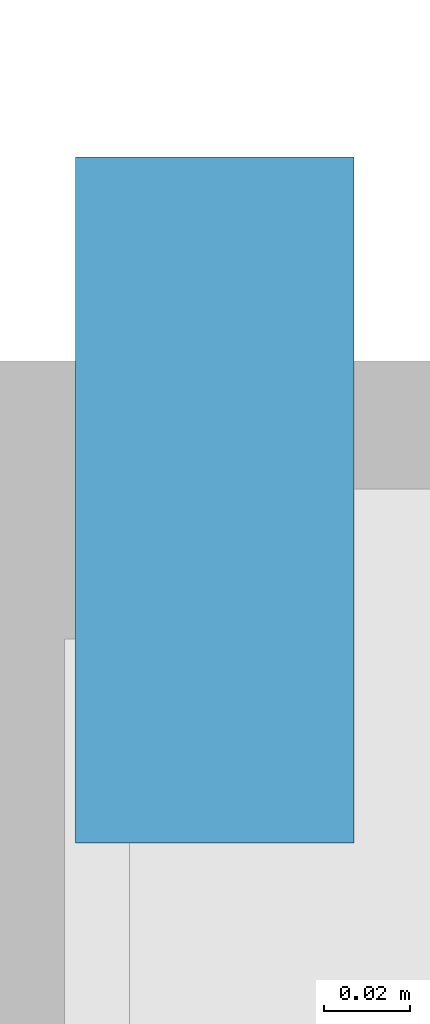
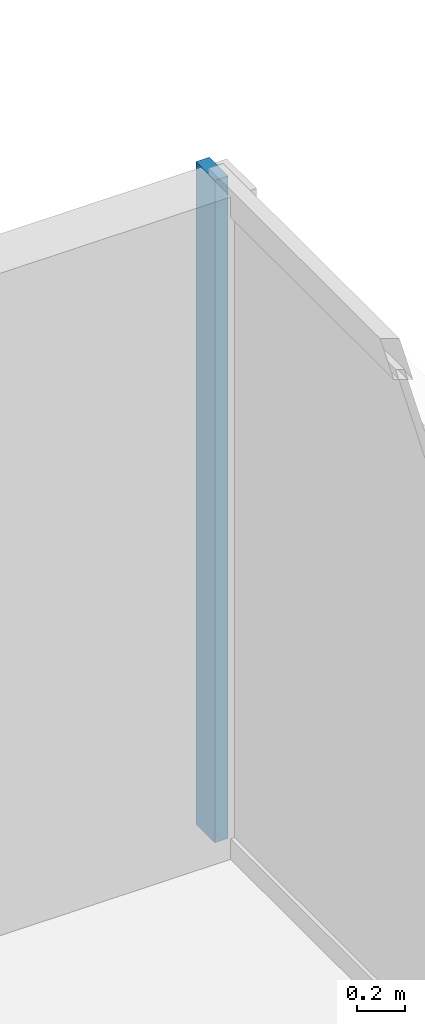
# One storey, part 6 of 14: 1 member, 1 element without a shape of its own.
"""IFC4 building model written with IfcOpenShell, lengths in metres."""

from ifc_helpers import new_model, si_unit, direction, frame, origin, origin_2d, place, context, subcontext, project, spatial, rectangle, extrude, material, layer, layer_set, material_profile, profile_set, type_object, element, aggregate, save


model = new_model("IFC4")

# Units and contexts
model_context = context("Model", 3, precision=1e-05, world=origin(), true_north=direction((0.0, 1.0)))
body_context = subcontext(model_context, "Body", "Model", "MODEL_VIEW")
ifc_project = project(units=[si_unit("LENGTHUNIT", "METRE"), si_unit("AREAUNIT", "SQUARE_METRE"), si_unit("VOLUMEUNIT", "CUBIC_METRE"), si_unit("PLANEANGLEUNIT", "RADIAN"), si_unit("MASSUNIT", "GRAM", prefix="KILO")], contexts=[model_context])

# Site, building, storey
site_placement = place(None, origin())
site = spatial("IfcSite", under=ifc_project, at=site_placement, CompositionType="ELEMENT")
building_placement = place(site_placement, origin())
building = spatial("IfcBuilding", under=site, at=building_placement, Name="Kinhvarn Gate Tower", CompositionType="ELEMENT")
storey_placement = place(building_placement, frame((0.0, 0.0, 256.35009765625)))
storey = spatial("IfcBuildingStorey", under=building, at=storey_placement, Name="L68", CompositionType="ELEMENT", Elevation=256.35009765625)

# Curtain wall, member
ifc_material = material(Name="Anodised aluminium AW-6063", Category="aluminium")
ifc_layer = layer(ifc_material, 0.179931640625)
ifc_layer_set = layer_set([ifc_layer], Name="Anodised aluminium AW-6063")
curtain_wall_type = type_object("IfcCurtainWallType", Name="CW-SYS-3", PredefinedType="NOTDEFINED", material=ifc_layer_set)
curtain_wall_placement = place(storey_placement, origin())
curtain_wall = element("IfcCurtainWall", 1, at=curtain_wall_placement, inside=storey, type_object=curtain_wall_type, Name="Curtain Wall CW3 (L68)", PredefinedType="NOTDEFINED")
ifc_material_profile = material_profile(ifc_material, rectangle(XDim=0.06494140625, YDim=0.159912109375, at=origin_2d()), Name="ALU 65x160")
ifc_profile_set = profile_set([ifc_material_profile], Name="Anodised aluminium AW-6063")
member_type = type_object("IfcMemberType", Name="CW-MUL-160", PredefinedType="MULLION", material=ifc_profile_set)
member_placement = place(storey_placement, frame((44.409912109375, 39.367431640625, 0.0), z_axis=(0.0, 0.0, 1.0), x_axis=(-1.0, 0.0, 0.0)))
member = element("IfcMember", 2, at=member_placement, type_object=member_type, Name="CW3 mullion 7", PredefinedType="MULLION", context=body_context, shape_type="SweptSolid", body=[
    extrude(rectangle(XDim=0.06494140625, YDim=0.159912109375, at=origin_2d()), origin(), (0.0, 0.0, 1.0), 3.389892578125),
])
aggregate(curtain_wall, [member])

save(model, "model.ifc")
